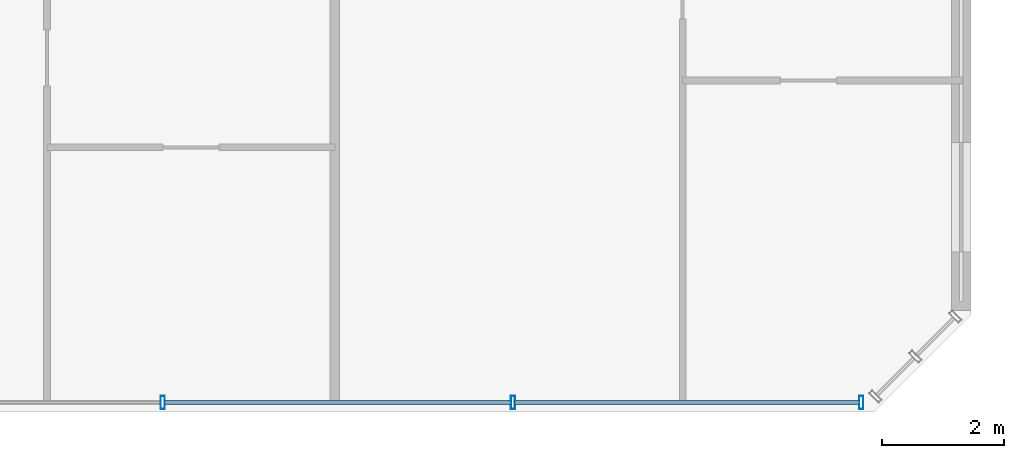
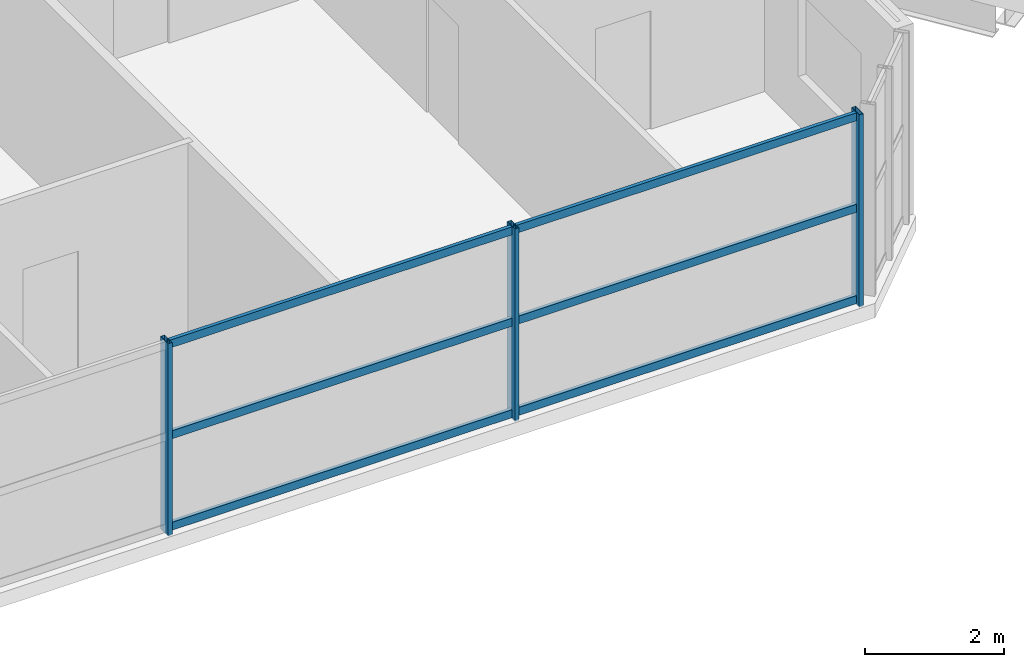
# One storey, part 7 of 28: 9 members, 1 element without a shape of its own.
"""IFC4 building model written with IfcOpenShell, lengths in metres."""

from ifc_helpers import new_model, si_unit, direction, frame, origin, origin_2d, place, context, subcontext, project, spatial, hollow_rectangle, extrude, source, transform, mapped, material, material_profile, profile_set, type_object, element, aggregate, save


model = new_model("IFC4")

# Units and contexts
model_context = context("Model", 3, precision=1e-05, world=origin(), true_north=direction((0.0, 1.0)))
body_context = subcontext(model_context, "Body", "Model", "MODEL_VIEW")
ifc_project = project(units=[si_unit("LENGTHUNIT", "METRE"), si_unit("AREAUNIT", "SQUARE_METRE"), si_unit("VOLUMEUNIT", "CUBIC_METRE"), si_unit("PLANEANGLEUNIT", "RADIAN"), si_unit("MASSUNIT", "GRAM", prefix="KILO")], contexts=[model_context])

# Site, building, storey
site_placement = place(None, origin())
site = spatial("IfcSite", under=ifc_project, at=site_placement, CompositionType="ELEMENT")
building_placement = place(site_placement, origin())
building = spatial("IfcBuilding", under=site, at=building_placement, Name="Tlacorven Tower", CompositionType="ELEMENT")
storey_placement = place(building_placement, frame((0.0, 0.0, 27.60009765625)))
storey = spatial("IfcBuildingStorey", under=building, at=storey_placement, Name="L06", CompositionType="ELEMENT", Elevation=27.60009765625)

# Curtain wall, members
ifc_material_1 = material(Name="Dark solar low-E double glazing in aluminium frame", Category="aluminium")
curtain_wall_type = type_object("IfcCurtainWallType", Name="CW-TWR-LOW", PredefinedType="USERDEFINED", material=ifc_material_1)
curtain_wall_placement = place(storey_placement, origin())
curtain_wall = element("IfcCurtainWall", 1, at=curtain_wall_placement, inside=storey, type_object=curtain_wall_type, Name="L06 CW-TWR-LOW Curtain Wall 28", ObjectType="UNITISED CURTAIN WALL", PredefinedType="USERDEFINED")
ifc_material_2 = material(Name="Aluminium 6063-T6 anodised", Category="aluminium")
ifc_material_profile_1 = material_profile(ifc_material_2, hollow_rectangle(XDim=0.06005859375, YDim=0.139892578125, WallThickness=0.00390625, at=origin_2d()), Name="ALU TRANSOM 60X140")
ifc_profile_set_1 = profile_set([ifc_material_profile_1], Name="Aluminium 6063-T6 anodised")
member_type_1 = type_object("IfcMemberType", Name="CWT-02", PredefinedType="USERDEFINED", material=ifc_profile_set_1)
shared_shape_1 = source(origin(), body_context, "Body", "SweptSolid", [
    extrude(hollow_rectangle(XDim=0.06005859375, YDim=0.139892578125, WallThickness=0.00390625, at=origin_2d()), origin(), (0.0, 0.0, 1.0), 5.6748046875),
])
member_1_placement = place(storey_placement, frame((50.57568359375, 1.9599609375, 0.06982421875), z_axis=(-1.0, 0.0, 0.0), x_axis=(0.0, -1.0, 0.0)))
member_1 = element("IfcMember", 2, at=member_1_placement, type_object=member_type_1, Name="CW-L06-028 Transom 1", ObjectType="TRANSOM", PredefinedType="USERDEFINED", context=body_context, shape_type="MappedRepresentation", body=[
    mapped(shared_shape_1, transform((0.0, 0.0, 0.0), scale=1.0)),
])
member_2_placement = place(storey_placement, frame((50.57568359375, 1.9599609375, 1.6748046875), z_axis=(-1.0, 0.0, 0.0), x_axis=(0.0, -1.0, 0.0)))
member_2 = element("IfcMember", 3, at=member_2_placement, type_object=member_type_1, Name="CW-L06-028 Transom 2", ObjectType="TRANSOM", PredefinedType="USERDEFINED", context=body_context, shape_type="MappedRepresentation", body=[
    mapped(shared_shape_1, transform((0.0, 0.0, 0.0), scale=1.0)),
])
member_3_placement = place(storey_placement, frame((50.57568359375, 1.9599609375, 3.27978515625), z_axis=(-1.0, 0.0, 0.0), x_axis=(0.0, -1.0, 0.0)))
member_3 = element("IfcMember", 4, at=member_3_placement, type_object=member_type_1, Name="CW-L06-028 Transom 3", ObjectType="TRANSOM", PredefinedType="USERDEFINED", context=body_context, shape_type="MappedRepresentation", body=[
    mapped(shared_shape_1, transform((0.0, 0.0, 0.0), scale=1.0)),
])
shared_shape_2 = source(origin(), body_context, "Body", "SweptSolid", [
    extrude(hollow_rectangle(XDim=0.06005859375, YDim=0.139892578125, WallThickness=0.00390625, at=origin_2d()), origin(), (0.0, 0.0, 1.0), 5.7099609375),
])
member_4_placement = place(storey_placement, frame((44.85498046875, 1.9599609375, 0.06982421875), z_axis=(-1.0, 0.0, 0.0), x_axis=(0.0, -1.0, 0.0)))
member_4 = element("IfcMember", 5, at=member_4_placement, type_object=member_type_1, Name="CW-L06-028 Transom 4", ObjectType="TRANSOM", PredefinedType="USERDEFINED", context=body_context, shape_type="MappedRepresentation", body=[
    mapped(shared_shape_2, transform((0.0, 0.0, 0.0), scale=1.0)),
])
member_5_placement = place(storey_placement, frame((44.85498046875, 1.9599609375, 1.6748046875), z_axis=(-1.0, 0.0, 0.0), x_axis=(0.0, -1.0, 0.0)))
member_5 = element("IfcMember", 6, at=member_5_placement, type_object=member_type_1, Name="CW-L06-028 Transom 5", ObjectType="TRANSOM", PredefinedType="USERDEFINED", context=body_context, shape_type="MappedRepresentation", body=[
    mapped(shared_shape_2, transform((0.0, 0.0, 0.0), scale=1.0)),
])
member_6_placement = place(storey_placement, frame((44.85498046875, 1.9599609375, 3.27978515625), z_axis=(-1.0, 0.0, 0.0), x_axis=(0.0, -1.0, 0.0)))
member_6 = element("IfcMember", 7, at=member_6_placement, type_object=member_type_1, Name="CW-L06-028 Transom 6", ObjectType="TRANSOM", PredefinedType="USERDEFINED", context=body_context, shape_type="MappedRepresentation", body=[
    mapped(shared_shape_2, transform((0.0, 0.0, 0.0), scale=1.0)),
])
ifc_material_profile_2 = material_profile(ifc_material_2, hollow_rectangle(XDim=0.070068359375, YDim=0.219970703125, WallThickness=0.0048828125, at=origin_2d()), Name="ALU MULLION 70X220")
ifc_profile_set_2 = profile_set([ifc_material_profile_2], Name="Aluminium 6063-T6 anodised")
member_type_2 = type_object("IfcMemberType", Name="CWM-01", PredefinedType="MULLION", material=ifc_profile_set_2)
shared_shape_3 = source(origin(), body_context, "Body", "SweptSolid", [
    extrude(hollow_rectangle(XDim=0.070068359375, YDim=0.219970703125, WallThickness=0.0048828125, at=origin_2d()), origin(), (0.0, 0.0, 1.0), 3.3798828125),
])
member_7_placement = place(storey_placement, frame((50.5986328125, 1.9599609375, -0.02001953125), z_axis=(0.0, 0.0, 1.0), x_axis=(-1.0, 0.0, 0.0)))
member_7 = element("IfcMember", 8, at=member_7_placement, type_object=member_type_2, Name="CW-L06-028 Mullion 1", PredefinedType="MULLION", context=body_context, shape_type="MappedRepresentation", body=[
    mapped(shared_shape_3, transform((0.0, 0.0, 0.0), scale=1.0)),
])
member_8_placement = place(storey_placement, frame((44.8779296875, 1.9599609375, -0.02001953125), z_axis=(0.0, 0.0, 1.0), x_axis=(-1.0, 0.0, 0.0)))
member_8 = element("IfcMember", 9, at=member_8_placement, type_object=member_type_2, Name="CW-L06-028 Mullion 2", PredefinedType="MULLION", context=body_context, shape_type="MappedRepresentation", body=[
    mapped(shared_shape_3, transform((0.0, 0.0, 0.0), scale=1.0)),
])
member_9_placement = place(storey_placement, frame((39.1220703125, 1.9599609375, -0.02001953125), z_axis=(0.0, 0.0, 1.0), x_axis=(-1.0, 0.0, 0.0)))
member_9 = element("IfcMember", 10, at=member_9_placement, type_object=member_type_2, Name="CW-L06-028 Mullion 3", PredefinedType="MULLION", context=body_context, shape_type="MappedRepresentation", body=[
    mapped(shared_shape_3, transform((0.0, 0.0, 0.0), scale=1.0)),
])
aggregate(curtain_wall, [member_7, member_8, member_9, member_1, member_2, member_3, member_4, member_5, member_6])

save(model, "model.ifc")
